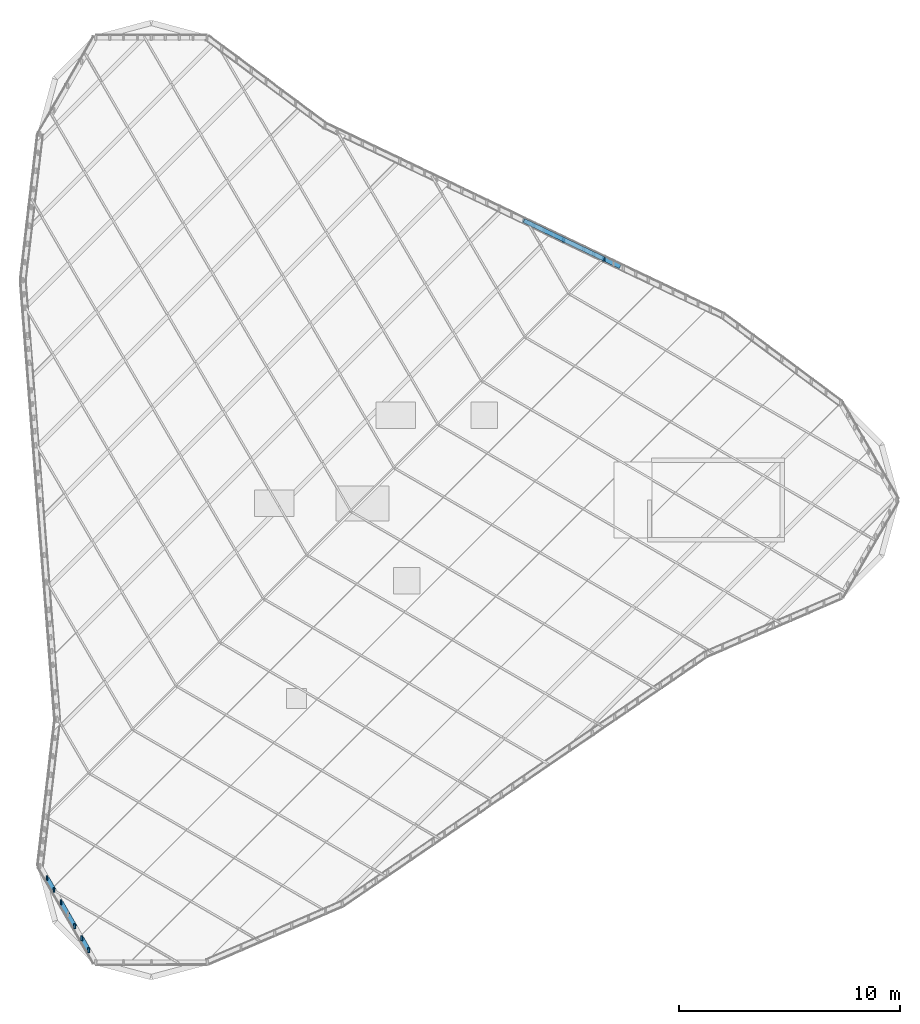
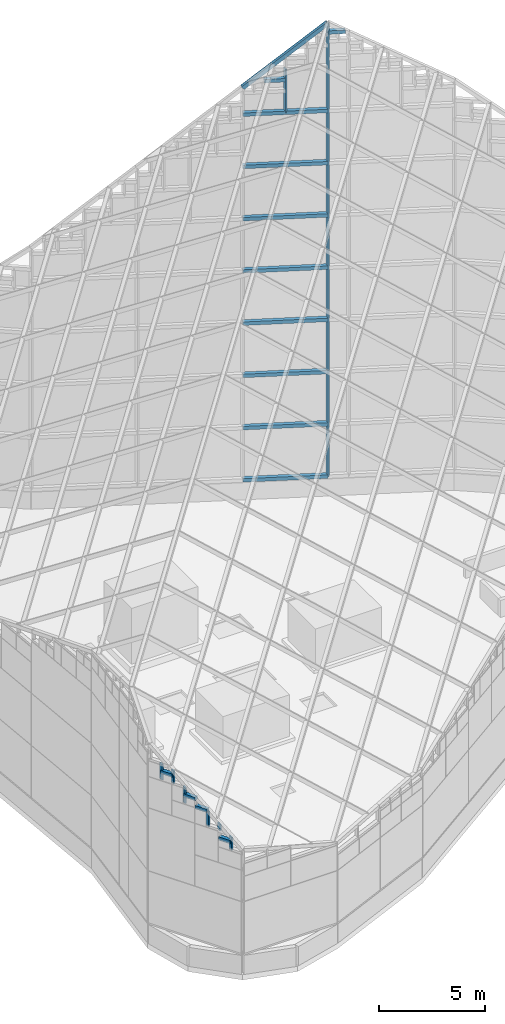
# One storey, part 10 of 29: 23 members, 1 element without a shape of its own.
"""IFC4 building model written with IfcOpenShell, lengths in metres."""

from ifc_helpers import new_model, si_unit, direction, frame, origin, origin_2d, place, context, subcontext, project, spatial, rectangle, extrude, material, material_profile, profile_set, type_object, element, aggregate, save


model = new_model("IFC4")

# Units and contexts
model_context = context("Model", 3, precision=1e-05, world=origin(), true_north=direction((0.0, 1.0)))
body_context = subcontext(model_context, "Body", "Model", "MODEL_VIEW")
ifc_project = project(units=[si_unit("LENGTHUNIT", "METRE"), si_unit("AREAUNIT", "SQUARE_METRE"), si_unit("VOLUMEUNIT", "CUBIC_METRE"), si_unit("PLANEANGLEUNIT", "RADIAN"), si_unit("MASSUNIT", "GRAM", prefix="KILO")], contexts=[model_context])

# Site, building, storey
site_placement = place(None, origin())
site = spatial("IfcSite", under=ifc_project, at=site_placement, CompositionType="ELEMENT")
building_placement = place(site_placement, origin())
building = spatial("IfcBuilding", under=site, at=building_placement, Name="Tanit Gate Tower", CompositionType="ELEMENT")
storey_placement = place(building_placement, frame((0.0, 0.0, 445.300048828125)))
storey = spatial("IfcBuildingStorey", under=building, at=storey_placement, Name="ROOF", CompositionType="ELEMENT", Elevation=445.300048828125)

# Curtain wall, members
ifc_material_1 = material(Name="Aluminium bronze anodised and glass", Category="aluminium")
curtain_wall_type = type_object("IfcCurtainWallType", Name="Curtain wall crown roof", PredefinedType="NOTDEFINED", material=ifc_material_1)
curtain_wall_placement = place(storey_placement, origin())
curtain_wall = element("IfcCurtainWall", 1, at=curtain_wall_placement, inside=storey, type_object=curtain_wall_type, Name="Crown lantern", PredefinedType="NOTDEFINED")
ifc_material_2 = material(Name="Aluminium bronze anodised", Category="aluminium")
ifc_material_profile_1 = material_profile(ifc_material_2, rectangle(XDim=0.080078125, YDim=0.219970703125, at=origin_2d()), Name="80x220 bronze rafter")
ifc_profile_set_1 = profile_set([ifc_material_profile_1], Name="Aluminium bronze anodised")
member_type_1 = type_object("IfcMemberType", Name="Mullion 80x220 crown roof", PredefinedType="MULLION", material=ifc_profile_set_1)
member_1_placement = place(storey_placement, frame((10.926513671875, 10.926513671875, 1.199951171875), z_axis=(0.0, 0.0, 1.0), x_axis=(1.0, 0.0, 0.0)))
member_1 = element("IfcMember", 2, at=member_1_placement, type_object=member_type_1, Name="Lantern mullion 5", PredefinedType="MULLION", context=body_context, shape_type="SweptSolid", body=[
    extrude(rectangle(XDim=0.080078125, YDim=0.219970703125, at=origin_2d()), origin(), (0.0, 0.0, 1.0), 26.0),
])
member_2_placement = place(storey_placement, frame((9.115478515625, 11.791748046875, 22.199951171875), z_axis=(0.0, 0.0, 1.0), x_axis=(1.0, 0.0, 0.0)))
member_2 = element("IfcMember", 3, at=member_2_placement, type_object=member_type_1, Name="Lantern clerestory bar 5.8.2", PredefinedType="MULLION", context=body_context, shape_type="SweptSolid", body=[
    extrude(rectangle(XDim=0.080078125, YDim=0.219970703125, at=origin_2d()), origin(), (0.0, 0.0, 1.0), 2.5),
])
member_3_placement = place(storey_placement, frame((-12.408203125, -20.400390625, 6.908935546875), z_axis=(0.0, 0.0, 1.0), x_axis=(1.0, 0.0, 0.0)))
member_3 = element("IfcMember", 4, at=member_3_placement, type_object=member_type_1, Name="Lantern clerestory bar 21.2.6", PredefinedType="MULLION", context=body_context, shape_type="SweptSolid", body=[
    extrude(rectangle(XDim=0.080078125, YDim=0.219970703125, at=origin_2d()), origin(), (0.0, 0.0, 1.0), 0.738525390625),
])
member_4_placement = place(storey_placement, frame((-13.667724609375, -18.216796875, 8.715087890625), z_axis=(0.0, 0.0, 1.0), x_axis=(1.0, 0.0, 0.0)))
member_4 = element("IfcMember", 5, at=member_4_placement, type_object=member_type_1, Name="Lantern clerestory bar 21.2.12", PredefinedType="MULLION", context=body_context, shape_type="SweptSolid", body=[
    extrude(rectangle(XDim=0.080078125, YDim=0.219970703125, at=origin_2d()), origin(), (0.0, 0.0, 1.0), 0.90283203125),
])
member_5_placement = place(storey_placement, frame((-13.982421875, -17.6708984375, 9.617919921875), z_axis=(0.0, 0.0, 1.0), x_axis=(1.0, 0.0, 0.0)))
member_5 = element("IfcMember", 6, at=member_5_placement, type_object=member_type_1, Name="Lantern clerestory bar 21.2.14", PredefinedType="MULLION", context=body_context, shape_type="SweptSolid", body=[
    extrude(rectangle(XDim=0.080078125, YDim=0.219970703125, at=origin_2d()), origin(), (0.0, 0.0, 1.0), 0.72705078125),
])
member_6_placement = place(storey_placement, frame((-14.29736328125, -17.125, 9.617919921875), z_axis=(0.0, 0.0, 1.0), x_axis=(1.0, 0.0, 0.0)))
member_6 = element("IfcMember", 7, at=member_6_placement, type_object=member_type_1, Name="Lantern clerestory bar 21.2.16", PredefinedType="MULLION", context=body_context, shape_type="SweptSolid", body=[
    extrude(rectangle(XDim=0.080078125, YDim=0.219970703125, at=origin_2d()), origin(), (0.0, 0.0, 1.0), 0.903076171875),
])
member_7_placement = place(storey_placement, frame((-12.72314453125, -19.8544921875, 7.81201171875), z_axis=(0.0, 0.0, 1.0), x_axis=(1.0, 0.0, 0.0)))
member_7 = element("IfcMember", 8, at=member_7_placement, type_object=member_type_1, Name="Lantern clerestory bar 21.2.19", PredefinedType="MULLION", context=body_context, shape_type="SweptSolid", body=[
    extrude(rectangle(XDim=0.080078125, YDim=0.219970703125, at=origin_2d()), origin(), (0.0, 0.0, 1.0), 0.375),
])
member_8_placement = place(storey_placement, frame((-13.037841796875, -19.30859375, 7.81201171875), z_axis=(0.0, 0.0, 1.0), x_axis=(1.0, 0.0, 0.0)))
member_8 = element("IfcMember", 9, at=member_8_placement, type_object=member_type_1, Name="Lantern clerestory bar 21.2.21", PredefinedType="MULLION", context=body_context, shape_type="SweptSolid", body=[
    extrude(rectangle(XDim=0.080078125, YDim=0.219970703125, at=origin_2d()), origin(), (0.0, 0.0, 1.0), 0.903076171875),
])
ifc_material_3 = material(Name="Aluminium bronze anodised", Category="aluminium")
ifc_material_profile_2 = material_profile(ifc_material_3, rectangle(XDim=0.199951171875, YDim=0.199951171875, at=origin_2d()), Name="200x200 bronze transom")
ifc_profile_set_2 = profile_set([ifc_material_profile_2], Name="Aluminium bronze anodised")
member_type_2 = type_object("IfcMemberType", Name="Transom 200x200 crown roof", PredefinedType="USERDEFINED", material=ifc_profile_set_2)
member_9_placement = place(storey_placement, frame((10.926513671875, 10.926513671875, 1.199951171875), z_axis=(-0.902323531189, 0.43105944493, 0.0), x_axis=(-0.43105944493, -0.902323531189, 0.0)))
member_9 = element("IfcMember", 10, at=member_9_placement, type_object=member_type_2, Name="Lantern eave beam 5", ObjectType="TRANSOM", PredefinedType="USERDEFINED", context=body_context, shape_type="SweptSolid", body=[
    extrude(rectangle(XDim=0.199951171875, YDim=0.199951171875, at=origin_2d()), origin(), (0.0, 0.0, 1.0), 4.013916015625),
])
member_10_placement = place(storey_placement, frame((10.926513671875, 10.926513671875, 27.199951171875), z_axis=(-0.68172763413, 0.325676019082, -0.655120266408), x_axis=(-0.43105944493, -0.902323531189, 0.0)))
member_10 = element("IfcMember", 11, at=member_10_placement, type_object=member_type_2, Name="Lantern edge beam 5", ObjectType="TRANSOM", PredefinedType="USERDEFINED", context=body_context, shape_type="SweptSolid", body=[
    extrude(rectangle(XDim=0.199951171875, YDim=0.199951171875, at=origin_2d()), origin(), (0.0, 0.0, 1.0), 5.312744140625),
])
member_11_placement = place(storey_placement, frame((11.6708984375, 10.57080078125, 26.699951171875), z_axis=(-0.902274396771, 0.431162281435, 0.0), x_axis=(-0.431162281435, -0.902274396771, 0.0)))
member_11 = element("IfcMember", 12, at=member_11_placement, type_object=member_type_2, Name="Lantern clerestory bar 4.9.2", ObjectType="TRANSOM", PredefinedType="USERDEFINED", context=body_context, shape_type="SweptSolid", body=[
    extrude(rectangle(XDim=0.199951171875, YDim=0.199951171875, at=origin_2d()), origin(), (0.0, 0.0, 1.0), 0.824951171875),
])
member_12_placement = place(storey_placement, frame((10.926513671875, 10.926513671875, 4.199951171875), z_axis=(-0.902323531189, 0.43105944493, 0.0), x_axis=(-0.43105944493, -0.902323531189, 0.0)))
member_12 = element("IfcMember", 13, at=member_12_placement, type_object=member_type_2, Name="Lantern clerestory transom 5.1", ObjectType="TRANSOM", PredefinedType="USERDEFINED", context=body_context, shape_type="SweptSolid", body=[
    extrude(rectangle(XDim=0.199951171875, YDim=0.199951171875, at=origin_2d()), origin(), (0.0, 0.0, 1.0), 4.013916015625),
])
member_13_placement = place(storey_placement, frame((10.926513671875, 10.926513671875, 7.199951171875), z_axis=(-0.902323531189, 0.43105944493, 0.0), x_axis=(-0.43105944493, -0.902323531189, 0.0)))
member_13 = element("IfcMember", 14, at=member_13_placement, type_object=member_type_2, Name="Lantern clerestory transom 5.2", ObjectType="TRANSOM", PredefinedType="USERDEFINED", context=body_context, shape_type="SweptSolid", body=[
    extrude(rectangle(XDim=0.199951171875, YDim=0.199951171875, at=origin_2d()), origin(), (0.0, 0.0, 1.0), 4.013916015625),
])
member_14_placement = place(storey_placement, frame((10.926513671875, 10.926513671875, 10.199951171875), z_axis=(-0.902323531189, 0.43105944493, 0.0), x_axis=(-0.43105944493, -0.902323531189, 0.0)))
member_14 = element("IfcMember", 15, at=member_14_placement, type_object=member_type_2, Name="Lantern clerestory transom 5.3", ObjectType="TRANSOM", PredefinedType="USERDEFINED", context=body_context, shape_type="SweptSolid", body=[
    extrude(rectangle(XDim=0.199951171875, YDim=0.199951171875, at=origin_2d()), origin(), (0.0, 0.0, 1.0), 4.013916015625),
])
member_15_placement = place(storey_placement, frame((10.926513671875, 10.926513671875, 13.199951171875), z_axis=(-0.902323531189, 0.43105944493, 0.0), x_axis=(-0.43105944493, -0.902323531189, 0.0)))
member_15 = element("IfcMember", 16, at=member_15_placement, type_object=member_type_2, Name="Lantern clerestory transom 5.4", ObjectType="TRANSOM", PredefinedType="USERDEFINED", context=body_context, shape_type="SweptSolid", body=[
    extrude(rectangle(XDim=0.199951171875, YDim=0.199951171875, at=origin_2d()), origin(), (0.0, 0.0, 1.0), 4.013916015625),
])
member_16_placement = place(storey_placement, frame((10.926513671875, 10.926513671875, 16.199951171875), z_axis=(-0.902323531189, 0.43105944493, 0.0), x_axis=(-0.43105944493, -0.902323531189, 0.0)))
member_16 = element("IfcMember", 17, at=member_16_placement, type_object=member_type_2, Name="Lantern clerestory transom 5.5", ObjectType="TRANSOM", PredefinedType="USERDEFINED", context=body_context, shape_type="SweptSolid", body=[
    extrude(rectangle(XDim=0.199951171875, YDim=0.199951171875, at=origin_2d()), origin(), (0.0, 0.0, 1.0), 4.013916015625),
])
member_17_placement = place(storey_placement, frame((10.926513671875, 10.926513671875, 19.199951171875), z_axis=(-0.902323531189, 0.43105944493, 0.0), x_axis=(-0.43105944493, -0.902323531189, 0.0)))
member_17 = element("IfcMember", 18, at=member_17_placement, type_object=member_type_2, Name="Lantern clerestory transom 5.6", ObjectType="TRANSOM", PredefinedType="USERDEFINED", context=body_context, shape_type="SweptSolid", body=[
    extrude(rectangle(XDim=0.199951171875, YDim=0.199951171875, at=origin_2d()), origin(), (0.0, 0.0, 1.0), 4.013916015625),
])
member_18_placement = place(storey_placement, frame((10.926513671875, 10.926513671875, 22.199951171875), z_axis=(-0.902323531189, 0.43105944493, 0.0), x_axis=(-0.43105944493, -0.902323531189, 0.0)))
member_18 = element("IfcMember", 19, at=member_18_placement, type_object=member_type_2, Name="Lantern clerestory transom 5.7", ObjectType="TRANSOM", PredefinedType="USERDEFINED", context=body_context, shape_type="SweptSolid", body=[
    extrude(rectangle(XDim=0.199951171875, YDim=0.199951171875, at=origin_2d()), origin(), (0.0, 0.0, 1.0), 4.013916015625),
])
member_19_placement = place(storey_placement, frame((9.115478515625, 11.791748046875, 24.074951171875), z_axis=(-0.90236060473, 0.430981831439, 0.0), x_axis=(-0.430981831439, -0.90236060473, 0.0)))
member_19 = element("IfcMember", 20, at=member_19_placement, type_object=member_type_2, Name="Lantern clerestory bar 5.8.5", ObjectType="TRANSOM", PredefinedType="USERDEFINED", context=body_context, shape_type="SweptSolid", body=[
    extrude(rectangle(XDim=0.199951171875, YDim=0.199951171875, at=origin_2d()), origin(), (0.0, 0.0, 1.0), 1.003173828125),
])
member_20_placement = place(storey_placement, frame((-12.72314453125, -19.8544921875, 7.360595703125), z_axis=(0.49972245349, -0.866185586049, 0.0), x_axis=(0.866185586049, 0.49972245349, 0.0)))
member_20 = element("IfcMember", 21, at=member_20_placement, type_object=member_type_2, Name="Lantern clerestory bar 21.2.7", ObjectType="TRANSOM", PredefinedType="USERDEFINED", context=body_context, shape_type="SweptSolid", body=[
    extrude(rectangle(XDim=0.199951171875, YDim=0.199951171875, at=origin_2d()), origin(), (0.0, 0.0, 1.0), 0.630126953125),
])
member_21_placement = place(storey_placement, frame((-13.667724609375, -18.216796875, 9.16650390625), z_axis=(0.49972245349, -0.866185586049, 0.0), x_axis=(0.866185586049, 0.49972245349, 0.0)))
member_21 = element("IfcMember", 22, at=member_21_placement, type_object=member_type_2, Name="Lantern clerestory bar 21.2.13", ObjectType="TRANSOM", PredefinedType="USERDEFINED", context=body_context, shape_type="SweptSolid", body=[
    extrude(rectangle(XDim=0.199951171875, YDim=0.199951171875, at=origin_2d()), origin(), (0.0, 0.0, 1.0), 0.630126953125),
])
member_22_placement = place(storey_placement, frame((-14.29736328125, -17.125, 10.069580078125), z_axis=(0.49972245349, -0.866185586049, 0.0), x_axis=(0.866185586049, 0.49972245349, 0.0)))
member_22 = element("IfcMember", 23, at=member_22_placement, type_object=member_type_2, Name="Lantern clerestory bar 21.2.17", ObjectType="TRANSOM", PredefinedType="USERDEFINED", context=body_context, shape_type="SweptSolid", body=[
    extrude(rectangle(XDim=0.199951171875, YDim=0.199951171875, at=origin_2d()), origin(), (0.0, 0.0, 1.0), 0.630126953125),
])
member_23_placement = place(storey_placement, frame((-13.352783203125, -18.7626953125, 8.715087890625), z_axis=(0.499525428469, -0.866299224467, 0.0), x_axis=(0.866299224467, 0.499525428469, 0.0)))
member_23 = element("IfcMember", 24, at=member_23_placement, type_object=member_type_2, Name="Lantern clerestory bar 21.2.20", ObjectType="TRANSOM", PredefinedType="USERDEFINED", context=body_context, shape_type="SweptSolid", body=[
    extrude(rectangle(XDim=0.199951171875, YDim=0.199951171875, at=origin_2d()), origin(), (0.0, 0.0, 1.0), 0.643798828125),
])
aggregate(curtain_wall, [member_1, member_9, member_10, member_11, member_12, member_13, member_14, member_15, member_16, member_17, member_18, member_2, member_19, member_3, member_20, member_4, member_21, member_5, member_6, member_22, member_7, member_23, member_8])

save(model, "model.ifc")
